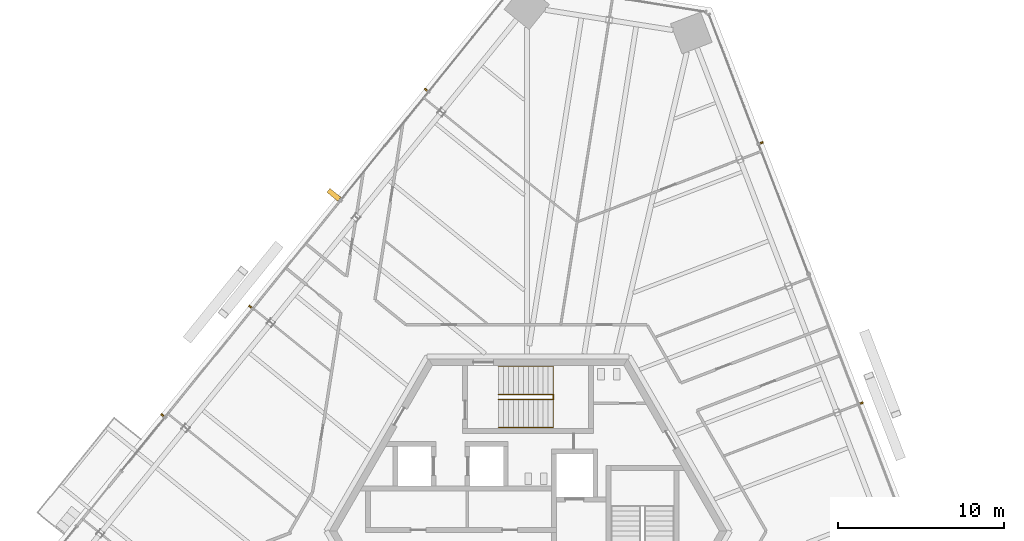
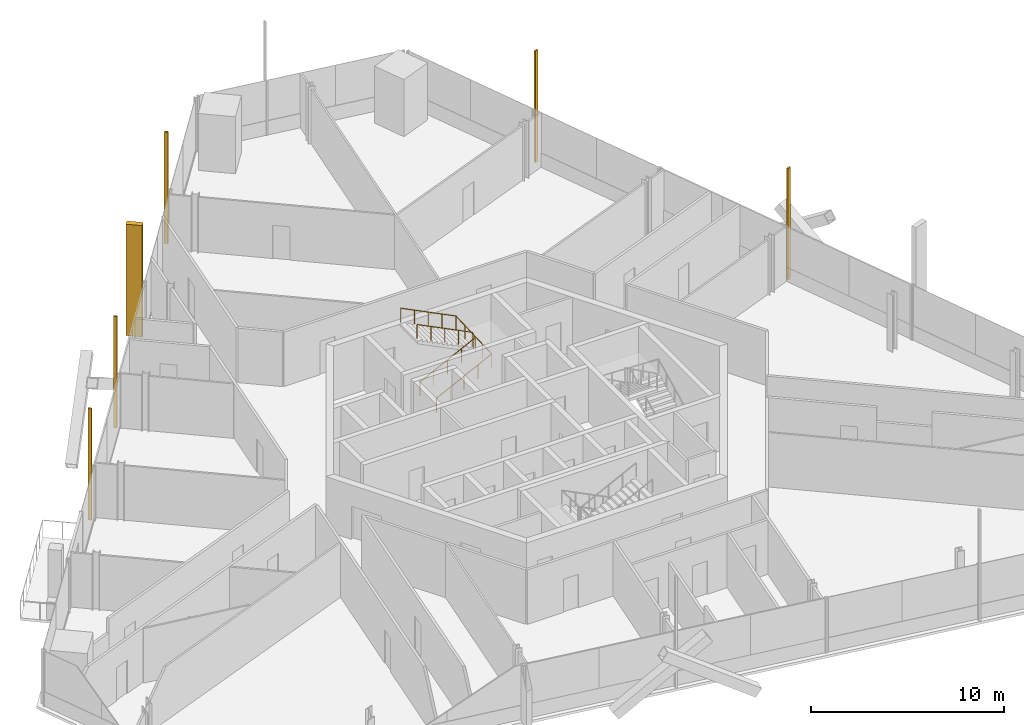
# One storey, part 18 of 22: 6 shading devices, 2 railings.
"""IFC4 building model written with IfcOpenShell, lengths in metres."""

import ifcopenshell
import ifcopenshell.guid

model = None  # the IFC model being written
_history = None  # IfcOwnerHistory: only IFC2X3 demands one
_inside = {}  # id of a spatial element -> (the spatial element, [elements in it])
_under = {}  # id of a project, library or spatial element -> (it, [spatial elements below it])
_declared = {}  # id of a project -> (the project, [libraries it declares])
_typed = {}  # id of a type object -> (the type object, [elements of that type])
_made_of = {}  # id of a material, layer set ... -> (it, [elements and type objects made of it])


def new_model(schema):
    """Start an empty IFC model of exactly this schema.

    Asked for "IFC4X3", IfcOpenShell would pick the latest addendum, in which some entities
    have other attributes; the version numbers below select the first issue.
    IFC2X3 requires an IfcOwnerHistory on every rooted entity: one is made here for all.
    """
    global model, _history
    if schema == "IFC4X3":
        model = ifcopenshell.file(schema_version=(4, 3, 0, 0))
    else:
        model = ifcopenshell.file(schema=schema)
    _inside.clear()
    _under.clear()
    _declared.clear()
    _typed.clear()
    _made_of.clear()
    _history = None
    if model.schema == "IFC2X3":
        org = make("IfcOrganization", Name="unknown")
        user = make(
            "IfcPersonAndOrganization",
            ThePerson=make("IfcPerson", FamilyName="unknown"),
            TheOrganization=org,
        )
        app = make(
            "IfcApplication",
            ApplicationDeveloper=org,
            Version="unknown",
            ApplicationFullName="unknown",
            ApplicationIdentifier="unknown",
        )
        _history = make(
            "IfcOwnerHistory",
            OwningUser=user,
            OwningApplication=app,
            ChangeAction="ADDED",
            CreationDate=0,
        )
    return model


def make(cls, **values):
    """One entity of the class cls with the attributes given. An attribute that is None is left unset."""
    return model.create_entity(
        cls, **{name: value for name, value in values.items() if value is not None}
    )


def rooted(cls, **values):
    """An entity with a GlobalId (a new one), such as an element, a storey or a relation."""
    return make(cls, GlobalId=ifcopenshell.guid.new(), OwnerHistory=_history, **values)


def si_unit(unit_type, name, prefix=None):
    """IfcSIUnit, for example si_unit("LENGTHUNIT", "METRE", prefix="MILLI")."""
    return make("IfcSIUnit", UnitType=unit_type, Prefix=prefix, Name=name)


def assignment(units):
    """IfcUnitAssignment: the units of a project."""
    return None if units is None else make("IfcUnitAssignment", Units=units)


def point(xyz):
    """IfcCartesianPoint."""
    return None if xyz is None else make("IfcCartesianPoint", Coordinates=xyz)


def direction(xyz):
    """IfcDirection."""
    return None if xyz is None else make("IfcDirection", DirectionRatios=xyz)


def frame(location, z_axis=None, x_axis=None):
    """IfcAxis2Placement3D, a coordinate frame: its origin and axes. An axis left out is left unset."""
    return make(
        "IfcAxis2Placement3D",
        Location=point(location),
        Axis=direction(z_axis),
        RefDirection=direction(x_axis),
    )


def frame_2d(location, x_axis=None):
    """IfcAxis2Placement2D, a coordinate frame in the plane: its origin and x axis."""
    return make(
        "IfcAxis2Placement2D", Location=point(location), RefDirection=direction(x_axis)
    )


def origin():
    """The frame at (0, 0, 0) with its axes left unset."""
    return frame((0.0, 0.0, 0.0))


def origin_2d():
    """The frame at (0, 0) in the plane with its x axis left unset."""
    return frame_2d((0.0, 0.0))


def place(relative_to, where):
    """IfcLocalPlacement: puts the frame where relative to a parent placement (None: the world)."""
    return make(
        "IfcLocalPlacement", PlacementRelTo=relative_to, RelativePlacement=where
    )


def context(
    kind, dimensions, precision=None, world=None, true_north=None, identifier=None
):
    """IfcGeometricRepresentationContext, for example the 3D "Model" context."""
    return make(
        "IfcGeometricRepresentationContext",
        ContextIdentifier=identifier,
        ContextType=kind,
        CoordinateSpaceDimension=dimensions,
        Precision=precision,
        WorldCoordinateSystem=world,
        TrueNorth=true_north,
    )


def subcontext(parent, identifier, kind, view, scale=None):
    """IfcGeometricRepresentationSubContext, for example "Body" below "Model"."""
    return make(
        "IfcGeometricRepresentationSubContext",
        ContextIdentifier=identifier,
        ContextType=kind,
        ParentContext=parent,
        TargetScale=scale,
        TargetView=view,
    )


def project(units=None, contexts=None):
    """IfcProject with its units and contexts."""
    return rooted(
        "IfcProject",
        Name="project",
        RepresentationContexts=contexts,
        UnitsInContext=assignment(units),
    )


def spatial(cls, under=None, at=None, **own):
    """A site, building, storey or space (cls), placed at a placement, below another one or the project."""
    s = rooted(cls, ObjectPlacement=at, **own)
    if under is not None:
        _under.setdefault(under.id(), (under, []))[1].append(s)
    return s


def profile(cls, at=None, kind="AREA", **sizes):
    """A parametric profile (cls). Its sizes go by their IFC names, for example OverallWidth=200.0."""
    return make(cls, ProfileType=kind, Position=at, **sizes)


def rectangle(**sizes):
    """IfcRectangleProfileDef."""
    return profile("IfcRectangleProfileDef", **sizes)


def circle(**sizes):
    """IfcCircleProfileDef."""
    return profile("IfcCircleProfileDef", **sizes)


def extrude(swept, where, along, depth):
    """IfcExtrudedAreaSolid: the profile swept, set in the frame where, extruded along a direction by depth."""
    return make(
        "IfcExtrudedAreaSolid",
        SweptArea=swept,
        Position=where,
        ExtrudedDirection=direction(along),
        Depth=depth,
    )


def shape(context_of_items, identifier, shape_type, items):
    """IfcShapeRepresentation: the items that make up one representation, for example the "Body"."""
    return make(
        "IfcShapeRepresentation",
        ContextOfItems=context_of_items,
        RepresentationIdentifier=identifier,
        RepresentationType=shape_type,
        Items=items,
    )


def source(mapping_origin, context_of_items, identifier, shape_type, items):
    """IfcRepresentationMap: a shape defined once, which mapped items show again and again."""
    return make(
        "IfcRepresentationMap",
        MappingOrigin=mapping_origin,
        MappedRepresentation=shape(context_of_items, identifier, shape_type, items),
    )


def transform(
    local_origin,
    x_axis=None,
    y_axis=None,
    z_axis=None,
    scale=None,
    scale2=None,
    scale3=None,
    uniform=True,
):
    """IfcCartesianTransformationOperator3D, or its non-uniform kind. x_axis, y_axis, z_axis: its Axis1, 2, 3."""
    if uniform:
        return make(
            "IfcCartesianTransformationOperator3D",
            Axis1=direction(x_axis),
            Axis2=direction(y_axis),
            LocalOrigin=point(local_origin),
            Scale=scale,
            Axis3=direction(z_axis),
        )
    return make(
        "IfcCartesianTransformationOperator3DnonUniform",
        Axis1=direction(x_axis),
        Axis2=direction(y_axis),
        LocalOrigin=point(local_origin),
        Scale=scale,
        Axis3=direction(z_axis),
        Scale2=scale2,
        Scale3=scale3,
    )


def mapped(mapping_source, mapping_target):
    """IfcMappedItem: shows the shape of a source again, moved by a transform."""
    return make(
        "IfcMappedItem", MappingSource=mapping_source, MappingTarget=mapping_target
    )


def material(Name=None, Category=None):
    """IfcMaterial."""
    return make("IfcMaterial", Name=Name, Category=Category)


def made_of(thing, what):
    """Note that an element or type object is made of a material, layer set ...; save() writes the relation."""
    if what is not None:
        _made_of.setdefault(what.id(), (what, []))[1].append(thing)
    return thing


def type_object(cls, material=None, **own):
    """A type object (cls), such as IfcWallType, which elements share."""
    return made_of(rooted(cls, **own), material)


def element(
    cls,
    number,
    at=None,
    inside=None,
    cuts=None,
    type_object=None,
    material=None,
    context=None,
    identifier="Body",
    shape_type=None,
    held_by="IfcProductDefinitionShape",
    body=None,
    shapes=None,
    **own,
):
    """One element of the class cls, such as IfcWall. Its Tag is "e" and its number.

    at: its placement. inside: the storey or other place that contains it. cuts: it is an
    opening in that element (IfcRelVoidsElement). A single representation is given by context,
    identifier, shape_type and body (its items); several are given by shapes. held_by: the class
    of the entity that holds the representations. save() writes the other relations.
    """
    e = rooted(cls, Tag="e%d" % number, ObjectPlacement=at, **own)
    if body is not None:
        shapes = [shape(context, identifier, shape_type, body)]
    if shapes is not None:
        e.Representation = make(held_by, Representations=shapes)
    if inside is not None:
        _inside.setdefault(inside.id(), (inside, []))[1].append(e)
    if cuts is not None:
        rooted(
            "IfcRelVoidsElement", RelatingBuildingElement=cuts, RelatedOpeningElement=e
        )
    if type_object is not None:
        _typed.setdefault(type_object.id(), (type_object, []))[1].append(e)
    return made_of(e, material)


def aggregate(whole, parts):
    """IfcRelAggregates: a whole, such as a stair, and the parts it consists of."""
    return rooted("IfcRelAggregates", RelatingObject=whole, RelatedObjects=parts)


def save(model, path):
    """Write the relations noted so far, then the file.

    IfcRelAggregates (storeys below a building ...), IfcRelContainedInSpatialStructure (elements
    in a storey), IfcRelDefinesByType, IfcRelAssociatesMaterial and IfcRelDeclares: one each for
    every whole, place, type object, material and project.
    """
    for whole, parts in _under.values():
        aggregate(whole, parts)
    for where, things in _inside.values():
        rooted(
            "IfcRelContainedInSpatialStructure",
            RelatedElements=things,
            RelatingStructure=where,
        )
    for kind, things in _typed.values():
        rooted("IfcRelDefinesByType", RelatedObjects=things, RelatingType=kind)
    for what, things in _made_of.values():
        rooted("IfcRelAssociatesMaterial", RelatedObjects=things, RelatingMaterial=what)
    for by, libraries in _declared.values():
        rooted("IfcRelDeclares", RelatingContext=by, RelatedDefinitions=libraries)
    model.write(path)


model = new_model("IFC4")

# Units and contexts
model_context = context("Model", 3, precision=1e-05, world=origin(), true_north=direction((0.0, 1.0)))
body_context = subcontext(model_context, "Body", "Model", "MODEL_VIEW")
ifc_project = project(units=[si_unit("LENGTHUNIT", "METRE"), si_unit("AREAUNIT", "SQUARE_METRE"), si_unit("VOLUMEUNIT", "CUBIC_METRE"), si_unit("PLANEANGLEUNIT", "RADIAN"), si_unit("MASSUNIT", "GRAM", prefix="KILO")], contexts=[model_context])

# Site, building, storey
site_placement = place(None, origin())
site = spatial("IfcSite", under=ifc_project, at=site_placement, CompositionType="ELEMENT")
building_placement = place(site_placement, origin())
building = spatial("IfcBuilding", under=site, at=building_placement, Name="Triune Harvest Tower", CompositionType="ELEMENT")
storey_placement = place(building_placement, frame((0.0, 0.0, 153.300048828125)))
storey = spatial("IfcBuildingStorey", under=building, at=storey_placement, Name="L39", CompositionType="ELEMENT", Elevation=153.300048828125)

# Railings
ifc_material_1 = material(Name="Stainless steel AISI 316", Category="steel")
railing_type = type_object("IfcRailingType", Name="Stair handrail", PredefinedType="HANDRAIL", material=ifc_material_1)
shared_shape_1 = source(origin(), body_context, "Body", "SweptSolid", [
    extrude(circle(Radius=0.02392578125, at=origin_2d()), frame((0.0, 0.0, 0.8759765625), z_axis=(0.894413956696, 0.0, 0.447240063129), x_axis=(0.0, 1.0, 0.0)), (0.0, 0.0, 1.0), 3.689697265625),
    extrude(circle(Radius=0.02392578125, at=origin_2d()), frame((3.300048828125, 0.0, 2.52587890625), z_axis=(0.0, 0.999180289278, 0.040481471304), x_axis=(-1.0, 0.0, 0.0)), (0.0, 0.0, 1.0), 3.702880859375),
    extrude(circle(Radius=0.02392578125, at=origin_2d()), frame((3.300048828125, 3.699951171875, 2.67578125), z_axis=(-0.894440424912, 0.0, 0.447187126696), x_axis=(0.0, -1.0, 0.0)), (0.0, 0.0, 1.0), 3.689453125),
    extrude(circle(Radius=0.02099609375, at=origin_2d()), origin(), (0.0, 0.0, 1.0), 0.851806640625),
    extrude(circle(Radius=0.02099609375, at=origin_2d()), frame((0.824951171875, 0.0, 0.41259765625)), (0.0, 0.0, 1.0), 0.851806640625),
    extrude(circle(Radius=0.02099609375, at=origin_2d()), frame((1.64990234375, 0.0, 0.8251953125)), (0.0, 0.0, 1.0), 0.851806640625),
    extrude(circle(Radius=0.02099609375, at=origin_2d()), frame((2.47509765625, 0.0, 1.237548828125)), (0.0, 0.0, 1.0), 0.851806640625),
    extrude(circle(Radius=0.02099609375, at=origin_2d()), frame((3.300048828125, 0.0, 1.650146484375)), (0.0, 0.0, 1.0), 0.851806640625),
    extrude(circle(Radius=0.02099609375, at=origin_2d()), frame((3.300048828125, 0.925048828125, 1.6875)), (0.0, 0.0, 1.0), 0.851806640625),
    extrude(circle(Radius=0.02099609375, at=origin_2d()), frame((3.300048828125, 1.85009765625, 1.72509765625)), (0.0, 0.0, 1.0), 0.851806640625),
    extrude(circle(Radius=0.02099609375, at=origin_2d()), frame((3.300048828125, 2.77490234375, 1.7626953125)), (0.0, 0.0, 1.0), 0.851806640625),
    extrude(circle(Radius=0.02099609375, at=origin_2d()), frame((3.300048828125, 3.699951171875, 1.800048828125)), (0.0, 0.0, 1.0), 0.851806640625),
    extrude(circle(Radius=0.02099609375, at=origin_2d()), frame((2.47509765625, 3.699951171875, 2.21240234375)), (0.0, 0.0, 1.0), 0.851806640625),
    extrude(circle(Radius=0.02099609375, at=origin_2d()), frame((1.64990234375, 3.699951171875, 2.625)), (0.0, 0.0, 1.0), 0.851806640625),
    extrude(circle(Radius=0.02099609375, at=origin_2d()), frame((0.824951171875, 3.699951171875, 3.03759765625)), (0.0, 0.0, 1.0), 0.851806640625),
    extrude(circle(Radius=0.02099609375, at=origin_2d()), frame((0.0, 3.699951171875, 3.449951171875)), (0.0, 0.0, 1.0), 0.851806640625),
])
railing_1_placement = place(storey_placement, frame((-1.7900390625, 6.239990234375, 0.14990234375)))
element("IfcRailing", 1, at=railing_1_placement, inside=storey, type_object=railing_type, Name="Exit stair north wall handrail", PredefinedType="HANDRAIL", context=body_context, shape_type="MappedRepresentation", body=[
    mapped(shared_shape_1, transform((0.0, 0.0, 0.0), scale=1.0)),
])
shared_shape_2 = source(origin(), body_context, "Body", "SweptSolid", [
    extrude(circle(Radius=0.02392578125, at=origin_2d()), frame((0.0, 0.0, 0.8759765625), z_axis=(0.894413956696, 0.0, 0.447240063129), x_axis=(0.0, 1.0, 0.0)), (0.0, 0.0, 1.0), 3.689697265625),
    extrude(circle(Radius=0.02392578125, at=origin_2d()), frame((3.300048828125, 0.0, 2.52587890625), z_axis=(0.0, 0.894572720946, 0.446922417137), x_axis=(-1.0, 0.0, 0.0)), (0.0, 0.0, 1.0), 0.33544921875),
    extrude(circle(Radius=0.02392578125, at=origin_2d()), frame((3.300048828125, 0.300048828125, 2.67578125), z_axis=(-0.894440424912, 0.0, 0.447187126696), x_axis=(0.0, -1.0, 0.0)), (0.0, 0.0, 1.0), 3.689453125),
    extrude(circle(Radius=0.02099609375, at=origin_2d()), origin(), (0.0, 0.0, 1.0), 0.851806640625),
    extrude(circle(Radius=0.02099609375, at=origin_2d()), frame((0.824951171875, 0.0, 0.41259765625)), (0.0, 0.0, 1.0), 0.851806640625),
    extrude(circle(Radius=0.02099609375, at=origin_2d()), frame((1.64990234375, 0.0, 0.8251953125)), (0.0, 0.0, 1.0), 0.851806640625),
    extrude(circle(Radius=0.02099609375, at=origin_2d()), frame((2.47509765625, 0.0, 1.237548828125)), (0.0, 0.0, 1.0), 0.851806640625),
    extrude(circle(Radius=0.02099609375, at=origin_2d()), frame((3.300048828125, 0.0, 1.650146484375)), (0.0, 0.0, 1.0), 0.851806640625),
    extrude(circle(Radius=0.02099609375, at=origin_2d()), frame((3.300048828125, 0.300048828125, 1.800048828125)), (0.0, 0.0, 1.0), 0.851806640625),
    extrude(circle(Radius=0.02099609375, at=origin_2d()), frame((2.47509765625, 0.300048828125, 2.21240234375)), (0.0, 0.0, 1.0), 0.851806640625),
    extrude(circle(Radius=0.02099609375, at=origin_2d()), frame((1.64990234375, 0.300048828125, 2.625)), (0.0, 0.0, 1.0), 0.851806640625),
    extrude(circle(Radius=0.02099609375, at=origin_2d()), frame((0.824951171875, 0.300048828125, 3.03759765625)), (0.0, 0.0, 1.0), 0.851806640625),
    extrude(circle(Radius=0.02099609375, at=origin_2d()), frame((0.0, 0.300048828125, 3.449951171875)), (0.0, 0.0, 1.0), 0.851806640625),
])
railing_2_placement = place(storey_placement, frame((-1.7900390625, 7.93994140625, 0.14990234375)))
element("IfcRailing", 2, at=railing_2_placement, inside=storey, type_object=railing_type, Name="Exit stair north centre handrail", PredefinedType="HANDRAIL", context=body_context, shape_type="MappedRepresentation", body=[
    mapped(shared_shape_2, transform((0.0, 0.0, 0.0), scale=1.0)),
])

# Shading devices
ifc_material_2 = material(Name="Aluminium bronze anodised", Category="aluminium")
shared_shape_3 = source(origin(), body_context, "Body", "SweptSolid", [
    extrude(rectangle(XDim=0.10009765625, YDim=0.199951171875, at=origin_2d()), origin(), (0.0, 0.0, 1.0), 7.0400390625),
])
for number, where, z_axis, x_axis, name in (
    (3, (20.119384765625, 7.72314453125, 0.0), (0.0, 0.0, 1.0), (-0.35836927228, 0.933579918746, 0.0), "FN-1 fin B4-F1.7 L39"),
    (4, (14.08984375, 23.43017578125, 0.0), (0.0, 0.0, 1.0), (-0.35836927228, 0.933579918746, 0.0), "FN-1 fin B4-F1.11 L39"),
    (5, (-6.166259765625, 26.629638671875, 0.0), (0.0, 0.0, 1.0), (-0.629321459087, -0.777145096577, 0.0), "FN-1 fin B4-F3.3 L39"),
    (6, (-16.766845703125, 13.5390625, 0.0), (0.0, 0.0, 1.0), (-0.629321459087, -0.777145096577, 0.0), "FN-1 fin B4-F3.7 L39"),
    (7, (-22.067138671875, 6.99365234375, 0.0), (0.0, 0.0, 1.0), (-0.629321459087, -0.777145096577, 0.0), "FN-1 fin B4-F3.9 L39"),
):
    element("IfcShadingDevice", number, at=place(storey_placement, frame(where, z_axis=z_axis, x_axis=x_axis)), inside=storey, material=ifc_material_2, Name=name, ObjectType="FIN", PredefinedType="USERDEFINED", context=body_context, shape_type="MappedRepresentation", body=[
        mapped(shared_shape_3, transform((0.0, 0.0, 0.0), scale=1.0)),
    ])
shared_shape_4 = source(origin(), body_context, "Body", "SweptSolid", [
    extrude(rectangle(XDim=0.300048828125, YDim=0.85009765625, at=origin_2d()), origin(), (0.0, 0.0, 1.0), 7.0400390625),
])
shading_device_placement = place(storey_placement, frame((-11.71923828125, 20.288818359375, 0.0), z_axis=(0.0, 0.0, 1.0), x_axis=(-0.629321459087, -0.777145096577, 0.0)))
element("IfcShadingDevice", 8, at=shading_device_placement, inside=storey, material=ifc_material_2, Name="FN-2 fin B4-F3.5 L39", ObjectType="FIN", PredefinedType="USERDEFINED", context=body_context, shape_type="MappedRepresentation", body=[
    mapped(shared_shape_4, transform((0.0, 0.0, 0.0), scale=1.0)),
])

save(model, "model.ifc")
